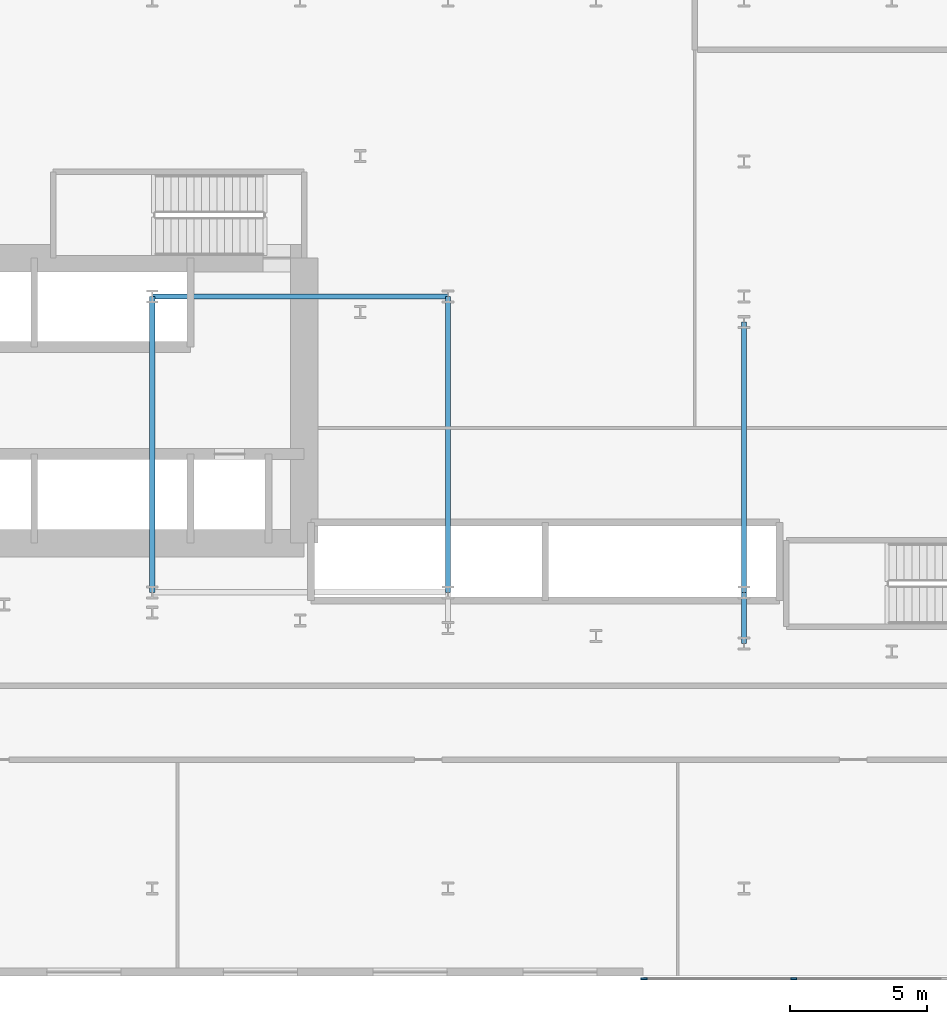
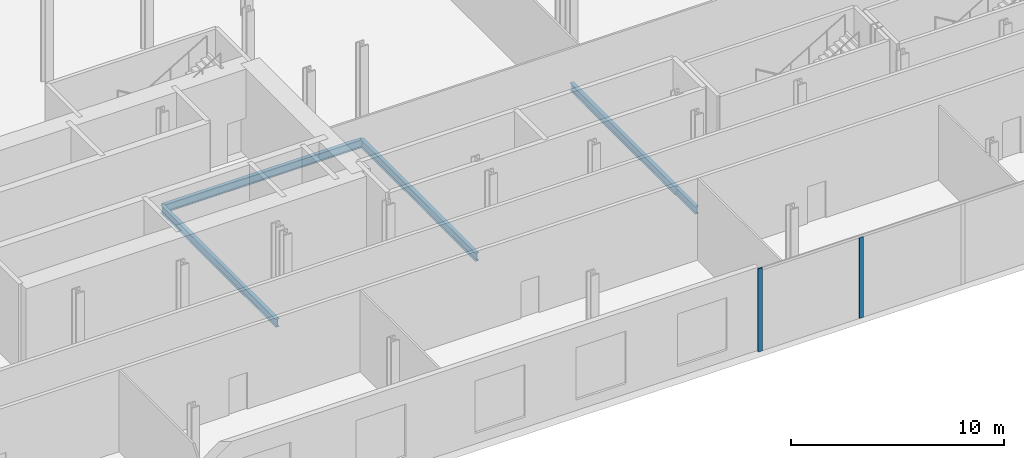
# One storey, part 7 of 47: 5 beams, 2 members, 1 element without a shape of its own.
"""IFC4 building model written with IfcOpenShell, lengths in metres."""

from ifc_helpers import new_model, si_unit, direction, frame, origin, origin_2d, place, context, subcontext, project, spatial, rectangle, i_section, extrude, material, layer, layer_set, material_profile, profile_set, type_object, element, aggregate, save


model = new_model("IFC4")

# Units and contexts
model_context = context("Model", 3, precision=1e-05, world=origin(), true_north=direction((0.0, 1.0)))
body_context = subcontext(model_context, "Body", "Model", "MODEL_VIEW")
ifc_project = project(units=[si_unit("LENGTHUNIT", "METRE"), si_unit("AREAUNIT", "SQUARE_METRE"), si_unit("VOLUMEUNIT", "CUBIC_METRE"), si_unit("PLANEANGLEUNIT", "RADIAN"), si_unit("MASSUNIT", "GRAM", prefix="KILO")], contexts=[model_context])

# Site, building, storey
site_placement = place(None, origin())
site = spatial("IfcSite", under=ifc_project, at=site_placement, CompositionType="ELEMENT")
building_placement = place(site_placement, origin())
building = spatial("IfcBuilding", under=site, at=building_placement, Name="Kheshtan School and Residences Tower", CompositionType="ELEMENT")
storey_placement = place(building_placement, frame((0.0, 0.0, 7.5)))
storey = spatial("IfcBuildingStorey", under=building, at=storey_placement, Name="L01", CompositionType="ELEMENT", Elevation=7.5)

# Beams
ifc_material_1 = material(Name="Steel ASTM A992 Grade 50", Category="steel")
ifc_material_profile_1 = material_profile(ifc_material_1, i_section(OverallWidth=0.180908203125, OverallDepth=0.4169921875, WebThickness=0.010986328125, FlangeThickness=0.018310546875, FilletRadius=0.012451171875, at=origin_2d()), Name="W410x85")
ifc_profile_set_1 = profile_set([ifc_material_profile_1], Name="Steel ASTM A992 Grade 50")
beam_type_1 = type_object("IfcBeamType", Name="Beam PB1 W410x85 ASTM A992 Grade 50", PredefinedType="BEAM", material=ifc_profile_set_1)
beam_1_placement = place(storey_placement, frame((69.199951171875, 22.1298828125, -0.62841796875), z_axis=(0.0, 1.0, 0.0), x_axis=(-1.0, 0.0, 0.0)))
element("IfcBeam", 1, at=beam_1_placement, inside=storey, type_object=beam_type_1, Name="Podium floor beam PB1", PredefinedType="BEAM", context=body_context, shape_type="SweptSolid", body=[
    extrude(i_section(OverallWidth=0.180908203125, OverallDepth=0.4169921875, WebThickness=0.010986328125, FlangeThickness=0.018310546875, FilletRadius=0.012451171875, at=origin_2d()), origin(), (0.0, 0.0, 1.0), 1.8701171875),
])
ifc_material_profile_2 = material_profile(ifc_material_1, i_section(OverallWidth=0.194091796875, OverallDepth=0.468994140625, WebThickness=0.0126953125, FlangeThickness=0.0205078125, FilletRadius=0.01416015625, at=origin_2d()), Name="W460x106")
ifc_profile_set_2 = profile_set([ifc_material_profile_2], Name="Steel ASTM A992 Grade 50")
beam_type_2 = type_object("IfcBeamType", Name="Beam PB2 W460x106 ASTM A992 Grade 50", PredefinedType="BEAM", material=ifc_profile_set_2)
for number, where, z_axis, x_axis, name in (
    (2, (47.60009765625, 24.0, -0.654541015625), (0.0, 1.0, 0.0), (-1.0, 0.0, 0.0), "Podium floor beam PB2"),
    (3, (58.39990234375, 24.0, -0.654541015625), (0.0, 1.0, 0.0), (-1.0, 0.0, 0.0), "Podium floor beam PB2"),
):
    element("IfcBeam", number, at=place(storey_placement, frame(where, z_axis=z_axis, x_axis=x_axis)), inside=storey, type_object=beam_type_2, Name=name, PredefinedType="BEAM", context=body_context, shape_type="SweptSolid", body=[
        extrude(i_section(OverallWidth=0.194091796875, OverallDepth=0.468994140625, WebThickness=0.0126953125, FlangeThickness=0.0205078125, FilletRadius=0.01416015625, at=origin_2d()), origin(), (0.0, 0.0, 1.0), 10.800048828125),
    ])
beam_2_placement = place(storey_placement, frame((69.199951171875, 24.0, -0.654541015625), z_axis=(0.0, 1.0, 0.0), x_axis=(-1.0, 0.0, 0.0)))
element("IfcBeam", 4, at=beam_2_placement, inside=storey, type_object=beam_type_2, Name="Podium floor beam PB2", PredefinedType="BEAM", context=body_context, shape_type="SweptSolid", body=[
    extrude(i_section(OverallWidth=0.194091796875, OverallDepth=0.468994140625, WebThickness=0.0126953125, FlangeThickness=0.0205078125, FilletRadius=0.01416015625, at=origin_2d()), origin(), (0.0, 0.0, 1.0), 9.860107421875),
])
beam_3_placement = place(storey_placement, frame((47.60009765625, 34.800048828125, -0.654541015625), z_axis=(1.0, 0.0, 0.0), x_axis=(0.0, 1.0, 0.0)))
element("IfcBeam", 5, at=beam_3_placement, inside=storey, type_object=beam_type_2, Name="Podium floor beam PB2", PredefinedType="BEAM", context=body_context, shape_type="SweptSolid", body=[
    extrude(i_section(OverallWidth=0.194091796875, OverallDepth=0.468994140625, WebThickness=0.0126953125, FlangeThickness=0.0205078125, FilletRadius=0.01416015625, at=origin_2d()), origin(), (0.0, 0.0, 1.0), 10.7998046875),
])

# Curtain wall, members
ifc_material_2 = material(Name="Clear low-e glass in thermally broken aluminium frame", Category="aluminium")
ifc_layer = layer(ifc_material_2, 0.22509765625)
ifc_layer_set = layer_set([ifc_layer], Name="Curtain wall CW-P")
curtain_wall_type = type_object("IfcCurtainWallType", Name="Curtain wall CW-P", PredefinedType="NOTDEFINED", material=ifc_layer_set)
curtain_wall_placement = place(storey_placement, origin())
curtain_wall = element("IfcCurtainWall", 6, at=curtain_wall_placement, inside=storey, type_object=curtain_wall_type, Name="Curtain wall CWP12", PredefinedType="NOTDEFINED")
ifc_material_3 = material(Name="Thermally broken aluminium, dark bronze anodised", Category="aluminium")
ifc_material_profile_3 = material_profile(ifc_material_3, rectangle(XDim=0.06005859375, YDim=0.22509765625, at=origin_2d()), Name="CW-P mullion 60x225")
ifc_profile_set_3 = profile_set([ifc_material_profile_3], Name="Thermally broken aluminium, dark bronze anodised")
member_type = type_object("IfcMemberType", Name="CW-P mullion 60x225", PredefinedType="MULLION", material=ifc_profile_set_3)
member_1_placement = place(storey_placement, frame((71.01806640625, 9.89990234375, 0.0), z_axis=(0.0, 0.0, 1.0), x_axis=(0.0, -1.0, 0.0)))
member_1 = element("IfcMember", 7, at=member_1_placement, type_object=member_type, Name="CWP12 mullion 11", PredefinedType="MULLION", context=body_context, shape_type="SweptSolid", body=[
    extrude(rectangle(XDim=0.06005859375, YDim=0.22509765625, at=origin_2d()), origin(), (0.0, 0.0, 1.0), 4.610107421875),
])
member_2_placement = place(storey_placement, frame((65.550048828125, 9.89990234375, 0.0), z_axis=(0.0, 0.0, 1.0), x_axis=(0.0, -1.0, 0.0)))
member_2 = element("IfcMember", 8, at=member_2_placement, type_object=member_type, Name="CWP12 mullion 12", PredefinedType="MULLION", context=body_context, shape_type="SweptSolid", body=[
    extrude(rectangle(XDim=0.06005859375, YDim=0.22509765625, at=origin_2d()), origin(), (0.0, 0.0, 1.0), 4.75),
])
aggregate(curtain_wall, [member_1, member_2])

save(model, "model.ifc")
